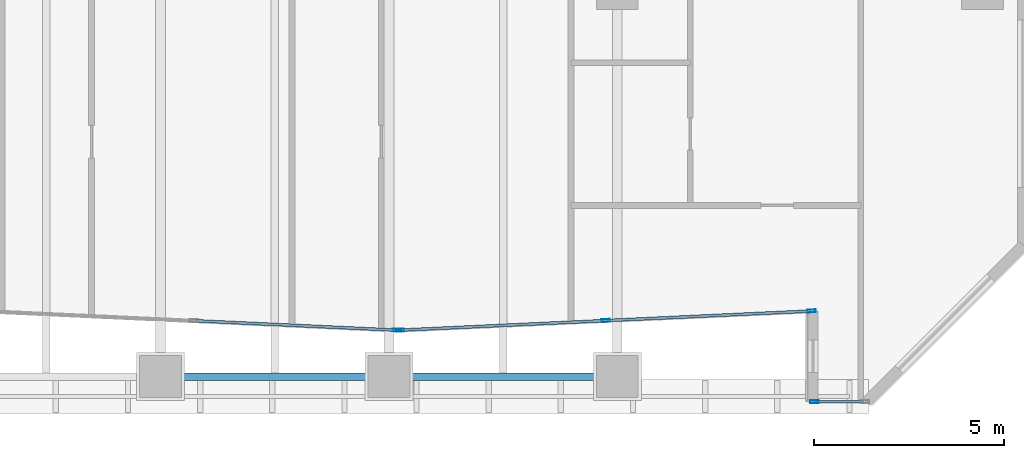
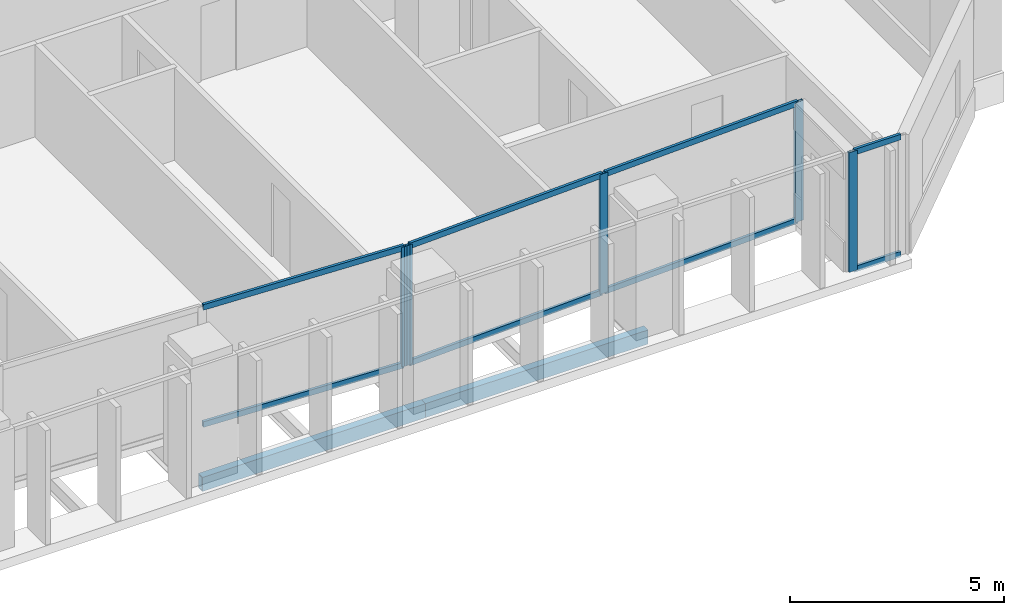
# One storey, part 14 of 32: 13 members, 2 beams, 3 elements without a shape of their own.
"""IFC4 building model written with IfcOpenShell, lengths in metres."""

from ifc_helpers import new_model, si_unit, direction, frame, origin, origin_2d, place, context, subcontext, project, spatial, hollow_rectangle, extrude, material, layer, layer_set, material_profile, profile_set, type_object, element, aggregate, save


model = new_model("IFC4")

# Units and contexts
model_context = context("Model", 3, precision=1e-05, world=origin(), true_north=direction((0.0, 1.0)))
body_context = subcontext(model_context, "Body", "Model", "MODEL_VIEW")
ifc_project = project(units=[si_unit("LENGTHUNIT", "METRE"), si_unit("AREAUNIT", "SQUARE_METRE"), si_unit("VOLUMEUNIT", "CUBIC_METRE"), si_unit("PLANEANGLEUNIT", "RADIAN"), si_unit("MASSUNIT", "GRAM", prefix="KILO")], contexts=[model_context])

# Site, building, storey
site_placement = place(None, origin())
site = spatial("IfcSite", under=ifc_project, at=site_placement, CompositionType="ELEMENT")
building_placement = place(site_placement, origin())
building = spatial("IfcBuilding", under=site, at=building_placement, Name="Tanjung Sevakor Pilgrim Tower", CompositionType="ELEMENT")
storey_placement = place(building_placement, frame((0.0, 0.0, 62.3701171875)))
storey = spatial("IfcBuildingStorey", under=building, at=storey_placement, Name="L17", CompositionType="ELEMENT", Elevation=62.3701171875)

# Beams
ifc_material_1 = material(Name="Steel S355J2", Category="steel")
ifc_material_profile_1 = material_profile(ifc_material_1, hollow_rectangle(XDim=0.199951171875, YDim=0.39990234375, WallThickness=0.01611328125, at=origin_2d()))
ifc_profile_set_1 = profile_set([ifc_material_profile_1], Name="Steel S355J2")
beam_type = type_object("IfcBeamType", Name="BM-B-SP2-RHS_400x200x16", PredefinedType="SPANDREL", material=ifc_profile_set_1)
for number, where, z_axis, x_axis, name in (
    (1, (78.0, 8.39990234375, -0.420166015625), (1.0, 0.0, 0.0), (0.0, 1.0, 0.0), "L17 Spandrel MAIN S-15"),
    (2, (84.0, 8.39990234375, -0.420166015625), (1.0, 0.0, 0.0), (0.0, 1.0, 0.0), "L17 Spandrel MAIN S-17"),
):
    element("IfcBeam", number, at=place(storey_placement, frame(where, z_axis=z_axis, x_axis=x_axis)), inside=storey, type_object=beam_type, Name=name, PredefinedType="SPANDREL", context=body_context, shape_type="SweptSolid", body=[
        extrude(hollow_rectangle(XDim=0.199951171875, YDim=0.39990234375, WallThickness=0.01611328125, at=origin_2d()), origin(), (0.0, 0.0, 1.0), 6.0),
    ])

# Curtain wall, member
ifc_material_2 = material(Name="Aluminium 6063-T6 and Low-E Glass", Category="aluminium")
ifc_layer = layer(ifc_material_2, 0.199951171875)
ifc_layer_set = layer_set([ifc_layer], Name="CW-SYS-PRAY")
curtain_wall_type = type_object("IfcCurtainWallType", Name="CW-SYS-PRAY", PredefinedType="NOTDEFINED", material=ifc_layer_set)
curtain_wall_1_placement = place(storey_placement, origin())
curtain_wall_1 = element("IfcCurtainWall", 3, at=curtain_wall_1_placement, inside=storey, type_object=curtain_wall_type, Name="L17 Curtain Wall CW-PRY-L17-11", PredefinedType="NOTDEFINED")
ifc_material_3 = material(Name="Aluminium 6063-T6", Category="aluminium")
ifc_material_profile_2 = material_profile(ifc_material_3, hollow_rectangle(XDim=0.074951171875, YDim=0.219970703125, WallThickness=0.0048828125, at=origin_2d()))
ifc_profile_set_2 = profile_set([ifc_material_profile_2], Name="Aluminium 6063-T6")
member_type_1 = type_object("IfcMemberType", Name="TYPE-CWM-2", PredefinedType="MULLION", material=ifc_profile_set_2)
member_1_placement = place(storey_placement, frame((84.212646484375, 9.621826171875, 0.0), z_axis=(0.0, 0.0, 1.0), x_axis=(0.046452337274, 0.998920507529, 0.0)))
member_1 = element("IfcMember", 4, at=member_1_placement, type_object=member_type_1, Name="CW-PRY mullion 3", PredefinedType="MULLION", context=body_context, shape_type="SweptSolid", body=[
    extrude(hollow_rectangle(XDim=0.074951171875, YDim=0.219970703125, WallThickness=0.0048828125, at=origin_2d()), origin(), (0.0, 0.0, 1.0), 3.409912109375),
])

# Curtain wall, members
curtain_wall_2_placement = place(storey_placement, origin())
curtain_wall_2 = element("IfcCurtainWall", 5, at=curtain_wall_2_placement, inside=storey, type_object=curtain_wall_type, Name="L17 Curtain Wall CW-PRY-L17-12", PredefinedType="NOTDEFINED")
member_2_placement = place(storey_placement, frame((84.287353515625, 9.621826171875, 0.0), z_axis=(0.0, 0.0, 1.0), x_axis=(-0.046460335048, 0.99892013558, 0.0)))
member_2 = element("IfcMember", 6, at=member_2_placement, type_object=member_type_1, Name="CW-PRY mullion 1", PredefinedType="MULLION", context=body_context, shape_type="SweptSolid", body=[
    extrude(hollow_rectangle(XDim=0.074951171875, YDim=0.219970703125, WallThickness=0.0048828125, at=origin_2d()), origin(), (0.0, 0.0, 1.0), 3.409912109375),
])
member_3_placement = place(storey_placement, frame((89.695068359375, 9.87353515625, 0.0), z_axis=(0.0, 0.0, 1.0), x_axis=(-0.046460335048, 0.99892013558, 0.0)))
member_3 = element("IfcMember", 7, at=member_3_placement, type_object=member_type_1, Name="CW-PRY mullion 2", PredefinedType="MULLION", context=body_context, shape_type="SweptSolid", body=[
    extrude(hollow_rectangle(XDim=0.074951171875, YDim=0.219970703125, WallThickness=0.0048828125, at=origin_2d()), origin(), (0.0, 0.0, 1.0), 3.409912109375),
])
member_4_placement = place(storey_placement, frame((95.1025390625, 10.125, 0.0), z_axis=(0.0, 0.0, 1.0), x_axis=(-0.046460335048, 0.99892013558, 0.0)))
member_4 = element("IfcMember", 8, at=member_4_placement, type_object=member_type_1, Name="CW-PRY mullion 3", PredefinedType="MULLION", context=body_context, shape_type="SweptSolid", body=[
    extrude(hollow_rectangle(XDim=0.074951171875, YDim=0.219970703125, WallThickness=0.0048828125, at=origin_2d()), origin(), (0.0, 0.0, 1.0), 3.409912109375),
])

# Curtain wall, member
curtain_wall_3_placement = place(storey_placement, origin())
curtain_wall_3 = element("IfcCurtainWall", 9, at=curtain_wall_3_placement, inside=storey, type_object=curtain_wall_type, Name="L17 Curtain Wall CW-PRY-L17-14", PredefinedType="NOTDEFINED")
member_5_placement = place(storey_placement, frame((95.177490234375, 7.739990234375, 0.0), z_axis=(0.0, 0.0, 1.0), x_axis=(0.0, 1.0, 0.0)))
member_5 = element("IfcMember", 10, at=member_5_placement, type_object=member_type_1, Name="CW-PRY mullion 1", PredefinedType="MULLION", context=body_context, shape_type="SweptSolid", body=[
    extrude(hollow_rectangle(XDim=0.074951171875, YDim=0.219970703125, WallThickness=0.0048828125, at=origin_2d()), origin(), (0.0, 0.0, 1.0), 3.409912109375),
])

# Member
ifc_material_4 = material(Name="Aluminium 6063-T6", Category="aluminium")
ifc_material_profile_3 = material_profile(ifc_material_4, hollow_rectangle(XDim=0.074951171875, YDim=0.159912109375, WallThickness=0.00439453125, at=origin_2d()))
ifc_profile_set_3 = profile_set([ifc_material_profile_3], Name="Aluminium 6063-T6")
member_type_2 = type_object("IfcMemberType", Name="TYPE-CWT-2", PredefinedType="USERDEFINED", material=ifc_profile_set_3)
member_6_placement = place(storey_placement, frame((78.915771484375, 9.8681640625, 0.037353515625), z_axis=(0.998922137135, -0.046417280627, 0.0), x_axis=(0.046417280627, 0.998922137135, 0.0)))
member_6 = element("IfcMember", 11, at=member_6_placement, type_object=member_type_2, Name="CW-PRY transom 2.1", ObjectType="TRANSOM", PredefinedType="USERDEFINED", context=body_context, shape_type="SweptSolid", body=[
    extrude(hollow_rectangle(XDim=0.074951171875, YDim=0.159912109375, WallThickness=0.00439453125, at=origin_2d()), origin(), (0.0, 0.0, 1.0), 5.264892578125),
])

member_7_placement = place(storey_placement, frame((78.915771484375, 9.8681640625, 3.372314453125), z_axis=(0.998922137135, -0.046417280627, 0.0), x_axis=(0.046417280627, 0.998922137135, 0.0)))
member_7 = element("IfcMember", 12, at=member_7_placement, type_object=member_type_2, Name="CW-PRY transom 2.2", ObjectType="TRANSOM", PredefinedType="USERDEFINED", context=body_context, shape_type="SweptSolid", body=[
    extrude(hollow_rectangle(XDim=0.074951171875, YDim=0.159912109375, WallThickness=0.00439453125, at=origin_2d()), origin(), (0.0, 0.0, 1.0), 5.264892578125),
])

aggregate(curtain_wall_1, [member_1, member_6, member_7])

member_8_placement = place(storey_placement, frame((84.324951171875, 9.623779296875, 0.037353515625), z_axis=(0.998919888621, 0.046465644485, 0.0), x_axis=(-0.046465644485, 0.998919888621, 0.0)))
member_8 = element("IfcMember", 13, at=member_8_placement, type_object=member_type_2, Name="CW-PRY transom 1.1", ObjectType="TRANSOM", PredefinedType="USERDEFINED", context=body_context, shape_type="SweptSolid", body=[
    extrude(hollow_rectangle(XDim=0.074951171875, YDim=0.159912109375, WallThickness=0.00439453125, at=origin_2d()), origin(), (0.0, 0.0, 1.0), 5.33837890625),
])

member_9_placement = place(storey_placement, frame((84.324951171875, 9.623779296875, 3.372314453125), z_axis=(0.998919888621, 0.046465644485, 0.0), x_axis=(-0.046465644485, 0.998919888621, 0.0)))
member_9 = element("IfcMember", 14, at=member_9_placement, type_object=member_type_2, Name="CW-PRY transom 1.2", ObjectType="TRANSOM", PredefinedType="USERDEFINED", context=body_context, shape_type="SweptSolid", body=[
    extrude(hollow_rectangle(XDim=0.074951171875, YDim=0.159912109375, WallThickness=0.00439453125, at=origin_2d()), origin(), (0.0, 0.0, 1.0), 5.33837890625),
])

member_10_placement = place(storey_placement, frame((89.732421875, 9.875244140625, 0.037353515625), z_axis=(0.998919987356, 0.046463521822, 0.0), x_axis=(-0.046463521822, 0.998919987356, 0.0)))
member_10 = element("IfcMember", 15, at=member_10_placement, type_object=member_type_2, Name="CW-PRY transom 2.1", ObjectType="TRANSOM", PredefinedType="USERDEFINED", context=body_context, shape_type="SweptSolid", body=[
    extrude(hollow_rectangle(XDim=0.074951171875, YDim=0.159912109375, WallThickness=0.00439453125, at=origin_2d()), origin(), (0.0, 0.0, 1.0), 5.338623046875),
])

member_11_placement = place(storey_placement, frame((89.732421875, 9.875244140625, 3.372314453125), z_axis=(0.998919987356, 0.046463521822, 0.0), x_axis=(-0.046463521822, 0.998919987356, 0.0)))
member_11 = element("IfcMember", 16, at=member_11_placement, type_object=member_type_2, Name="CW-PRY transom 2.2", ObjectType="TRANSOM", PredefinedType="USERDEFINED", context=body_context, shape_type="SweptSolid", body=[
    extrude(hollow_rectangle(XDim=0.074951171875, YDim=0.159912109375, WallThickness=0.00439453125, at=origin_2d()), origin(), (0.0, 0.0, 1.0), 5.338623046875),
])

aggregate(curtain_wall_2, [member_2, member_3, member_4, member_8, member_9, member_10, member_11])

member_12_placement = place(storey_placement, frame((95.215087890625, 7.739990234375, 0.037353515625), z_axis=(1.0, 0.0, 0.0), x_axis=(0.0, 1.0, 0.0)))
member_12 = element("IfcMember", 17, at=member_12_placement, type_object=member_type_2, Name="CW-PRY transom 1.1", ObjectType="TRANSOM", PredefinedType="USERDEFINED", context=body_context, shape_type="SweptSolid", body=[
    extrude(hollow_rectangle(XDim=0.074951171875, YDim=0.159912109375, WallThickness=0.00439453125, at=origin_2d()), origin(), (0.0, 0.0, 1.0), 1.251953125),
])

member_13_placement = place(storey_placement, frame((95.215087890625, 7.739990234375, 3.372314453125), z_axis=(1.0, 0.0, 0.0), x_axis=(0.0, 1.0, 0.0)))
member_13 = element("IfcMember", 18, at=member_13_placement, type_object=member_type_2, Name="CW-PRY transom 1.2", ObjectType="TRANSOM", PredefinedType="USERDEFINED", context=body_context, shape_type="SweptSolid", body=[
    extrude(hollow_rectangle(XDim=0.074951171875, YDim=0.159912109375, WallThickness=0.00439453125, at=origin_2d()), origin(), (0.0, 0.0, 1.0), 1.251953125),
])

aggregate(curtain_wall_3, [member_5, member_12, member_13])

save(model, "model.ifc")
